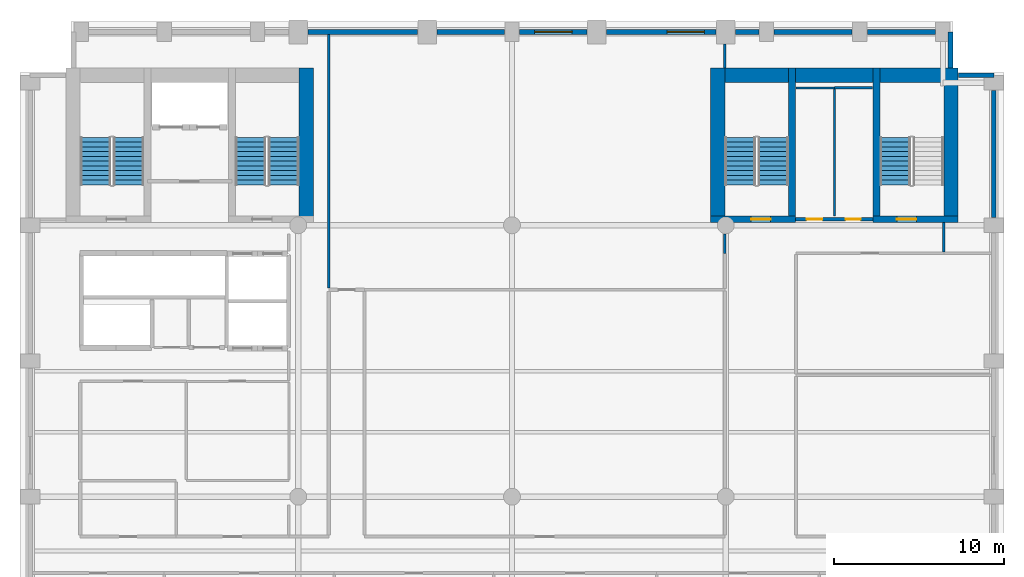
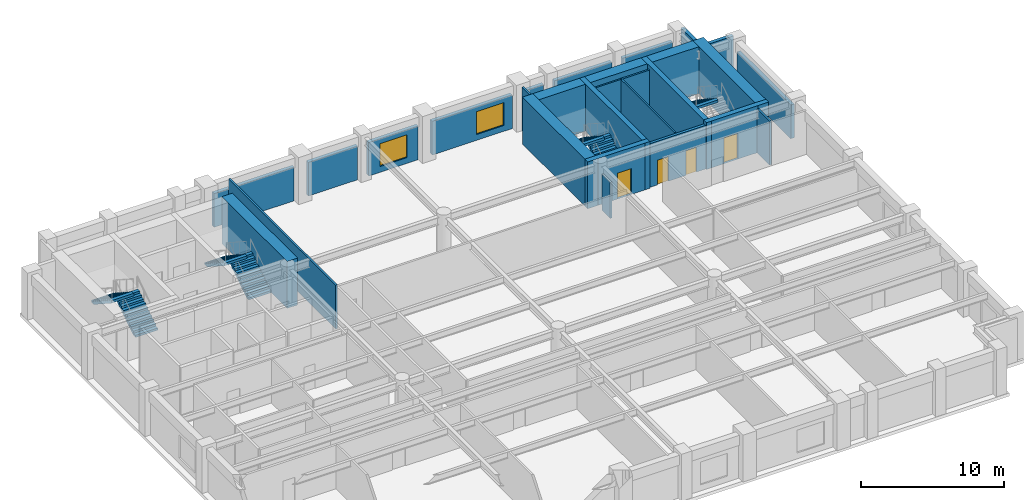
# One storey, part 5 of 8: 26 walls, 7 stair flights, 4 doors, 2 windows, 6 openings, 4 elements without a shape of their own.
"""IFC4 building model written with IfcOpenShell, lengths in metres."""

from ifc_helpers import new_model, si_unit, direction, frame, frame_2d, origin, place, context, subcontext, project, spatial, polyline, rectangle, outline, extrude, material, layer, layer_set, type_object, element, fill, aggregate, save


model = new_model("IFC4")

# Units and contexts
model_context = context("Model", 3, precision=1e-05, world=origin(), true_north=direction((0.0, 1.0)))
body_context = subcontext(model_context, "Body", "Model", "MODEL_VIEW")
ifc_project = project(units=[si_unit("LENGTHUNIT", "METRE"), si_unit("AREAUNIT", "SQUARE_METRE"), si_unit("VOLUMEUNIT", "CUBIC_METRE"), si_unit("PLANEANGLEUNIT", "RADIAN"), si_unit("MASSUNIT", "GRAM", prefix="KILO")], contexts=[model_context])

# Site, building, storey
site_placement = place(None, origin())
site = spatial("IfcSite", under=ifc_project, at=site_placement, CompositionType="ELEMENT")
building_placement = place(site_placement, origin())
building = spatial("IfcBuilding", under=site, at=building_placement, Name="Sulina Concourse Tower", CompositionType="ELEMENT")
storey_placement = place(building_placement, frame((0.0, 0.0, 100.60009765625)))
storey = spatial("IfcBuildingStorey", under=building, at=storey_placement, Name="L24", CompositionType="ELEMENT", Elevation=100.60009765625)

# Wall, openings, doors
ifc_material_1 = material(Name="Gypsum board on steel stud", Category="steel")
ifc_layer_1 = layer(ifc_material_1, 0.219970703125)
ifc_layer_set_1 = layer_set([ifc_layer_1], Name="Gypsum board on steel stud")
wall_type_1 = type_object("IfcWallType", Name="Fire-Rated Lobby & Compartment Wall 220mm", PredefinedType="PARTITIONING", material=ifc_layer_set_1)
wall_1_placement = place(storey_placement, frame((45.719970703125, 34.35009765625, 0.0), z_axis=(0.0, 0.0, 1.0), x_axis=(1.0, 0.0, 0.0)))
wall_1 = element("IfcWall", 1, at=wall_1_placement, inside=storey, type_object=wall_type_1, Name="L24 east core south lobby wall", PredefinedType="PARTITIONING", context=body_context, shape_type="SweptSolid", body=[
    extrude(rectangle(XDim=4.56005859375, YDim=0.219970703125, at=frame_2d((2.280029296875, 0.0))), origin(), (0.0, 0.0, 1.0), 3.724853515625),
])
opening_1_placement = place(wall_1_placement, frame((0.64990234375, 0.0, 0.0)))
opening_1 = element("IfcOpeningElement", 2, at=opening_1_placement, cuts=wall_1, Name="Opening DR-61", PredefinedType="OPENING", context=body_context, shape_type="SweptSolid", body=[
    extrude(rectangle(XDim=0.919921875, YDim=2.10009765625, at=frame_2d((0.4599609375, 1.050048828125))), frame((0.0, 0.119873046875, 0.0), z_axis=(0.0, -1.0, 0.0), x_axis=(1.0, 0.0, 0.0)), (0.0, 0.0, 1.0), 0.239990234375),
])
opening_2_placement = place(wall_1_placement, frame((2.949951171875, 0.0, 0.0)))
opening_2 = element("IfcOpeningElement", 3, at=opening_2_placement, cuts=wall_1, Name="Opening DR-38", PredefinedType="OPENING", context=body_context, shape_type="SweptSolid", body=[
    extrude(rectangle(XDim=0.8798828125, YDim=2.10009765625, at=frame_2d((0.43994140625, 1.050048828125))), frame((0.0, 0.119873046875, 0.0), z_axis=(0.0, -1.0, 0.0), x_axis=(1.0, 0.0, 0.0)), (0.0, 0.0, 1.0), 0.239990234375),
])
ifc_material_2 = material(Name="Oak-veneered fire door leaf")
ifc_layer_2 = layer(ifc_material_2, 0.050048828125)
ifc_layer_set_2 = layer_set([ifc_layer_2], Name="Oak-veneered fire door leaf")
door_type_1 = type_object("IfcDoorType", Name="Accessible WC Door 920x2100", OperationType="NOTDEFINED", PredefinedType="DOOR", material=ifc_layer_set_2)
door_1_placement = place(opening_1_placement, origin())
door_1 = element("IfcDoor", 4, at=door_1_placement, inside=storey, type_object=door_type_1, Name="L24 east core accessible wc door", OperationType="SINGLE_SWING_LEFT", OverallHeight=2.10009765625, OverallWidth=0.919921875, PredefinedType="DOOR", context=body_context, shape_type="SweptSolid", body=[
    extrude(rectangle(XDim=0.919921875, YDim=2.10009765625, at=frame_2d((0.4599609375, 1.050048828125))), frame((0.0, 0.02490234375, 0.0), z_axis=(0.0, -1.0, 0.0), x_axis=(1.0, 0.0, 0.0)), (0.0, 0.0, 1.0), 0.050048828125),
])
fill(opening_1, door_1)
ifc_material_3 = material(Name="Galvanised steel acoustic fire leaf", Category="steel")
ifc_layer_3 = layer(ifc_material_3, 0.050048828125)
ifc_layer_set_3 = layer_set([ifc_layer_3], Name="Galvanised steel acoustic fire leaf")
door_type_2 = type_object("IfcDoorType", Name="Service Riser Fire Door 880x2100", OperationType="NOTDEFINED", PredefinedType="DOOR", material=ifc_layer_set_3)
door_2_placement = place(opening_2_placement, origin())
door_2 = element("IfcDoor", 5, at=door_2_placement, inside=storey, type_object=door_type_2, Name="L24 east core store door", OperationType="SINGLE_SWING_RIGHT", OverallHeight=2.10009765625, OverallWidth=0.8798828125, PredefinedType="DOOR", context=body_context, shape_type="SweptSolid", body=[
    extrude(rectangle(XDim=0.8798828125, YDim=2.10009765625, at=frame_2d((0.43994140625, 1.050048828125))), frame((0.0, 0.02490234375, 0.0), z_axis=(0.0, -1.0, 0.0), x_axis=(1.0, 0.0, 0.0)), (0.0, 0.0, 1.0), 0.050048828125),
])
fill(opening_2, door_2)

# Walls
ifc_material_4 = material(Name="Gypsum board on steel stud", Category="steel")
ifc_layer_4 = layer(ifc_material_4, 0.14990234375)
ifc_layer_set_4 = layer_set([ifc_layer_4], Name="Gypsum board on steel stud")
wall_type_2 = type_object("IfcWallType", Name="Inter-Tenancy Acoustic Partition 150mm", PredefinedType="PARTITIONING", material=ifc_layer_set_4)
wall_2_placement = place(storey_placement, frame((48.0, 42.10009765625, 0.0), z_axis=(0.0, 0.0, 1.0), x_axis=(1.0, 0.0, 0.0)))
element("IfcWall", 6, at=wall_2_placement, inside=storey, type_object=wall_type_2, Name="L24 interior partition 025", PredefinedType="PARTITIONING", context=body_context, shape_type="SweptSolid", body=[
    extrude(rectangle(XDim=2.25, YDim=0.14990234375, at=frame_2d((1.125, 0.0))), origin(), (0.0, 0.0, 1.0), 3.724853515625),
])
wall_3_placement = place(storey_placement, frame((18.199951171875, 30.2900390625, 0.0), z_axis=(0.0, 0.0, 1.0), x_axis=(0.0, 1.0, 0.0)))
element("IfcWall", 7, at=wall_3_placement, inside=storey, type_object=wall_type_2, Name="L24 interior partition 037", PredefinedType="PARTITIONING", context=body_context, shape_type="SweptSolid", body=[
    extrude(rectangle(XDim=14.969970703125, YDim=0.14990234375, at=frame_2d((7.48486328125, 0.0))), origin(), (0.0, 0.0, 1.0), 3.724853515625),
])
wall_4_placement = place(storey_placement, frame((41.550048828125, 32.35009765625, 0.0), z_axis=(0.0, 0.0, 1.0), x_axis=(0.0, 1.0, 0.0)))
element("IfcWall", 8, at=wall_4_placement, inside=storey, type_object=wall_type_2, Name="L24 interior partition 045", PredefinedType="PARTITIONING", context=body_context, shape_type="SweptSolid", body=[
    extrude(rectangle(XDim=1.14990234375, YDim=0.14990234375, at=frame_2d((0.574951171875, 0.0))), origin(), (0.0, 0.0, 1.0), 3.06982421875),
])
wall_5_placement = place(storey_placement, frame((41.550048828125, 43.280029296875, 0.0), z_axis=(0.0, 0.0, 1.0), x_axis=(0.0, 1.0, 0.0)))
element("IfcWall", 9, at=wall_5_placement, inside=storey, type_object=wall_type_2, Name="L24 interior partition 046", PredefinedType="PARTITIONING", context=body_context, shape_type="SweptSolid", body=[
    extrude(rectangle(XDim=1.419921875, YDim=0.14990234375, at=frame_2d((0.7099609375, 0.0))), origin(), (0.0, 0.0, 1.0), 3.724853515625),
])
wall_6_placement = place(storey_placement, frame((54.449951171875, 32.425048828125, 0.0), z_axis=(0.0, 0.0, 1.0), x_axis=(0.0, 1.0, 0.0)))
element("IfcWall", 10, at=wall_6_placement, inside=storey, type_object=wall_type_2, Name="L24 interior partition 051", PredefinedType="PARTITIONING", context=body_context, shape_type="SweptSolid", body=[
    extrude(rectangle(XDim=1.724853515625, YDim=0.14990234375, at=frame_2d((0.8623046875, 0.0))), origin(), (0.0, 0.0, 1.0), 3.724853515625),
])

# Wall, opening, door
ifc_material_5 = material(Name="Concrete C60/75", Category="concrete")
ifc_layer_5 = layer(ifc_material_5, 0.39990234375)
ifc_layer_set_5 = layer_set([ifc_layer_5], Name="Concrete C60/75")
wall_type_3 = type_object("IfcWallType", Name="Protected Stair Core Shear Wall 400mm", PredefinedType="SHEAR", material=ifc_layer_set_5)
wall_7_placement = place(storey_placement, frame((40.699951171875, 34.35009765625, 0.0), z_axis=(0.0, 0.0, 1.0), x_axis=(1.0, 0.0, 0.0)))
wall_7 = element("IfcWall", 11, at=wall_7_placement, inside=storey, type_object=wall_type_3, Name="L24 east core shear wall CW-ES1", PredefinedType="SHEAR", context=body_context, shape_type="SweptSolid", body=[
    extrude(rectangle(XDim=5.010009765625, YDim=0.39990234375, at=frame_2d((2.5048828125, 0.0))), origin(), (0.0, 0.0, 1.0), 4.0),
])
opening_3_placement = place(wall_7_placement, frame((2.39990234375, 0.0, 0.0)))
opening_3 = element("IfcOpeningElement", 12, at=opening_3_placement, cuts=wall_7, Name="Opening DR-60", PredefinedType="OPENING", context=body_context, shape_type="SweptSolid", body=[
    extrude(rectangle(XDim=1.14990234375, YDim=2.199951171875, at=frame_2d((0.574951171875, 1.10009765625))), frame((0.0, 0.2099609375, 0.0), z_axis=(0.0, -1.0, 0.0), x_axis=(1.0, 0.0, 0.0)), (0.0, 0.0, 1.0), 0.419921875),
])
ifc_material_6 = material(Name="Galvanised steel acoustic fire leaf", Category="steel")
ifc_layer_6 = layer(ifc_material_6, 0.054931640625)
ifc_layer_set_6 = layer_set([ifc_layer_6], Name="Galvanised steel acoustic fire leaf")
door_type_3 = type_object("IfcDoorType", Name="Protected Exit Stair Fire Door 1150x2200", OperationType="NOTDEFINED", PredefinedType="DOOR", material=ifc_layer_set_6)
door_3_placement = place(opening_3_placement, origin())
door_3 = element("IfcDoor", 13, at=door_3_placement, inside=storey, type_object=door_type_3, Name="L24 stair ST-3 south lobby fire door", OperationType="SINGLE_SWING_RIGHT", OverallHeight=2.199951171875, OverallWidth=1.14990234375, PredefinedType="DOOR", context=body_context, shape_type="SweptSolid", body=[
    extrude(rectangle(XDim=1.14990234375, YDim=2.199951171875, at=frame_2d((0.574951171875, 1.10009765625))), frame((0.0, 0.02490234375, 0.0), z_axis=(0.0, -1.0, 0.0), x_axis=(1.0, 0.0, 0.0)), (0.0, 0.0, 1.0), 0.050048828125),
])
fill(opening_3, door_3)

# Wall
wall_8_placement = place(storey_placement, frame((45.510009765625, 34.14990234375, 0.0), z_axis=(0.0, 0.0, 1.0), x_axis=(0.0, 1.0, 0.0)))
element("IfcWall", 14, at=wall_8_placement, inside=storey, type_object=wall_type_3, Name="L24 east core shear wall SW-ST3", PredefinedType="SHEAR", context=body_context, shape_type="SweptSolid", body=[
    extrude(rectangle(XDim=9.130126953125, YDim=0.39990234375, at=frame_2d((4.56494140625, 0.0))), origin(), (0.0, 0.0, 1.0), 4.0),
])

# Wall, opening, door
wall_9_placement = place(storey_placement, frame((50.2900390625, 34.35009765625, 0.0), z_axis=(0.0, 0.0, 1.0), x_axis=(1.0, 0.0, 0.0)))
wall_9 = element("IfcWall", 15, at=wall_9_placement, inside=storey, type_object=wall_type_3, Name="L24 east core shear wall CW-ES2", PredefinedType="SHEAR", context=body_context, shape_type="SweptSolid", body=[
    extrude(rectangle(XDim=5.010009765625, YDim=0.39990234375, at=frame_2d((2.5048828125, 0.0))), origin(), (0.0, 0.0, 1.0), 4.0),
])
opening_4_placement = place(wall_9_placement, frame((1.39990234375, 0.0, 0.0)))
opening_4 = element("IfcOpeningElement", 16, at=opening_4_placement, cuts=wall_9, Name="Opening DR-60", PredefinedType="OPENING", context=body_context, shape_type="SweptSolid", body=[
    extrude(rectangle(XDim=1.14990234375, YDim=2.199951171875, at=frame_2d((0.574951171875, 1.10009765625))), frame((0.0, 0.2099609375, 0.0), z_axis=(0.0, -1.0, 0.0), x_axis=(1.0, 0.0, 0.0)), (0.0, 0.0, 1.0), 0.419921875),
])
door_4_placement = place(opening_4_placement, origin())
door_4 = element("IfcDoor", 17, at=door_4_placement, inside=storey, type_object=door_type_3, Name="L24 stair ST-4 south lobby fire door", OperationType="SINGLE_SWING_LEFT", OverallHeight=2.199951171875, OverallWidth=1.14990234375, PredefinedType="DOOR", context=body_context, shape_type="SweptSolid", body=[
    extrude(rectangle(XDim=1.14990234375, YDim=2.199951171875, at=frame_2d((0.574951171875, 1.10009765625))), frame((0.0, 0.02490234375, 0.0), z_axis=(0.0, -1.0, 0.0), x_axis=(1.0, 0.0, 0.0)), (0.0, 0.0, 1.0), 0.050048828125),
])
fill(opening_4, door_4)

# Walls
wall_10_placement = place(storey_placement, frame((50.489990234375, 34.14990234375, 0.0), z_axis=(0.0, 0.0, 1.0), x_axis=(0.0, 1.0, 0.0)))
element("IfcWall", 18, at=wall_10_placement, inside=storey, type_object=wall_type_3, Name="L24 east core shear wall SW-ST4", PredefinedType="SHEAR", context=body_context, shape_type="SweptSolid", body=[
    extrude(rectangle(XDim=9.130126953125, YDim=0.39990234375, at=frame_2d((4.56494140625, 0.0))), origin(), (0.0, 0.0, 1.0), 4.0),
])
ifc_material_7 = material(Name="Concrete C60/75", Category="concrete")
ifc_layer_7 = layer(ifc_material_7, 0.85009765625)
ifc_layer_set_7 = layer_set([ifc_layer_7], Name="Concrete C60/75")
wall_type_4 = type_object("IfcWallType", Name="Rear Core Shear Wall 850mm", PredefinedType="SHEAR", material=ifc_layer_set_7)
wall_11_placement = place(storey_placement, frame((16.875, 34.14990234375, 0.0), z_axis=(0.0, 0.0, 1.0), x_axis=(0.0, 1.0, 0.0)))
element("IfcWall", 19, at=wall_11_placement, inside=storey, type_object=wall_type_4, Name="L24 west core shear wall CW-WE", PredefinedType="SHEAR", context=body_context, shape_type="SweptSolid", body=[
    extrude(rectangle(XDim=9.130126953125, YDim=0.85009765625, at=frame_2d((4.56494140625, 0.0))), origin(), (0.0, 0.0, 1.0), 4.0),
])
wall_12_placement = place(storey_placement, frame((40.699951171875, 42.85498046875, 0.0), z_axis=(0.0, 0.0, 1.0), x_axis=(1.0, 0.0, 0.0)))
element("IfcWall", 20, at=wall_12_placement, inside=storey, type_object=wall_type_4, Name="L24 east core shear wall CW-EN", PredefinedType="SHEAR", context=body_context, shape_type="SweptSolid", body=[
    extrude(rectangle(XDim=14.60009765625, YDim=0.85009765625, at=frame_2d((7.300048828125, 0.0))), origin(), (0.0, 0.0, 1.0), 4.0),
])
for number, where, z_axis, x_axis, name in (
    (21, (41.125, 34.14990234375, 0.0), (0.0, 0.0, 1.0), (0.0, 1.0, 0.0), "L24 east core shear wall CW-EW"),
    (22, (54.875, 34.14990234375, 0.0), (0.0, 0.0, 1.0), (0.0, 1.0, 0.0), "L24 east core shear wall CW-EE"),
):
    element("IfcWall", number, at=place(storey_placement, frame(where, z_axis=z_axis, x_axis=x_axis)), inside=storey, type_object=wall_type_4, Name=name, PredefinedType="SHEAR", context=body_context, shape_type="SweptSolid", body=[
        extrude(rectangle(XDim=9.130126953125, YDim=0.85009765625, at=frame_2d((4.56494140625, 0.0))), origin(), (0.0, 0.0, 1.0), 4.0),
    ])
ifc_material_8 = material(Name="Precast concrete C50/60", Category="concrete")
ifc_layer_8 = layer(ifc_material_8, 0.280029296875)
ifc_layer_set_8 = layer_set([ifc_layer_8], Name="Precast concrete C50/60")
wall_type_5 = type_object("IfcWallType", Name="Typical Precast Masonry-Frame Facade Wall 280mm", PredefinedType="SOLIDWALL", material=ifc_layer_set_8)
wall_13_placement = place(storey_placement, frame((16.969970703125, 45.39990234375, 0.0), z_axis=(0.0, 0.0, 1.0), x_axis=(1.0, 0.0, 0.0)))
element("IfcWall", 23, at=wall_13_placement, inside=storey, type_object=wall_type_5, Name="L24 exterior precast wall N4", PredefinedType="SOLIDWALL", context=body_context, shape_type="SweptSolid", body=[
    extrude(rectangle(XDim=6.4599609375, YDim=0.280029296875, at=frame_2d((3.22998046875, 0.0))), origin(), (0.0, 0.0, 1.0), 2.875),
])
wall_14_placement = place(storey_placement, frame((24.570068359375, 45.39990234375, 0.0), z_axis=(0.0, 0.0, 1.0), x_axis=(1.0, 0.0, 0.0)))
element("IfcWall", 24, at=wall_14_placement, inside=storey, type_object=wall_type_5, Name="L24 exterior precast wall N5", PredefinedType="SOLIDWALL", context=body_context, shape_type="SweptSolid", body=[
    extrude(rectangle(XDim=3.98486328125, YDim=0.280029296875, at=frame_2d((1.992431640625, 0.0))), origin(), (0.0, 0.0, 1.0), 2.875),
])

# Wall, opening, window
wall_15_placement = place(storey_placement, frame((29.445068359375, 45.39990234375, 0.0), z_axis=(0.0, 0.0, 1.0), x_axis=(1.0, 0.0, 0.0)))
wall_15 = element("IfcWall", 25, at=wall_15_placement, inside=storey, type_object=wall_type_5, Name="L24 exterior precast wall N6", PredefinedType="SOLIDWALL", context=body_context, shape_type="SweptSolid", body=[
    extrude(rectangle(XDim=3.98486328125, YDim=0.280029296875, at=frame_2d((1.992431640625, 0.0))), origin(), (0.0, 0.0, 1.0), 2.875),
])
opening_5_placement = place(wall_15_placement, frame((0.892578125, 0.0, 0.5)))
opening_5 = element("IfcOpeningElement", 26, at=opening_5_placement, cuts=wall_15, Name="Opening WN-76", PredefinedType="OPENING", context=body_context, shape_type="SweptSolid", body=[
    extrude(rectangle(XDim=2.199951171875, YDim=1.949951171875, at=frame_2d((1.10009765625, 0.97509765625))), frame((0.0, 0.14990234375, 0.0), z_axis=(0.0, -1.0, 0.0), x_axis=(1.0, 0.0, 0.0)), (0.0, 0.0, 1.0), 0.300048828125),
])
ifc_material_9 = material(Name="Low-E solar double glazing in bronze aluminium", Category="aluminium")
window_type = type_object("IfcWindowType", Name="Recessed Spandrel Window 2200x1950", PartitioningType="DOUBLE_PANEL_VERTICAL", PredefinedType="WINDOW", material=ifc_material_9)
window_1_placement = place(opening_5_placement, origin())
window_1 = element("IfcWindow", 27, at=window_1_placement, inside=storey, type_object=window_type, Name="L24 punched window N6-1", OverallHeight=1.949951171875, OverallWidth=2.199951171875, PartitioningType="SINGLE_PANEL", PredefinedType="WINDOW", context=body_context, shape_type="SweptSolid", body=[
    extrude(rectangle(XDim=2.199951171875, YDim=1.949951171875, at=frame_2d((1.10009765625, 0.97509765625))), frame((0.0, 0.030029296875, 0.0), z_axis=(0.0, -1.0, 0.0), x_axis=(1.0, 0.0, 0.0)), (0.0, 0.0, 1.0), 0.06005859375),
])
fill(opening_5, window_1)

wall_16_placement = place(storey_placement, frame((34.570068359375, 45.39990234375, 0.0), z_axis=(0.0, 0.0, 1.0), x_axis=(1.0, 0.0, 0.0)))
wall_16 = element("IfcWall", 28, at=wall_16_placement, inside=storey, type_object=wall_type_5, Name="L24 exterior precast wall N7", PredefinedType="SOLIDWALL", context=body_context, shape_type="SweptSolid", body=[
    extrude(rectangle(XDim=6.4599609375, YDim=0.280029296875, at=frame_2d((3.22998046875, 0.0))), origin(), (0.0, 0.0, 1.0), 2.875),
])
opening_6_placement = place(wall_16_placement, frame((3.5732421875, 0.0, 0.5)))
opening_6 = element("IfcOpeningElement", 29, at=opening_6_placement, cuts=wall_16, Name="Opening WN-76", PredefinedType="OPENING", context=body_context, shape_type="SweptSolid", body=[
    extrude(rectangle(XDim=2.199951171875, YDim=1.949951171875, at=frame_2d((1.10009765625, 0.97509765625))), frame((0.0, 0.14990234375, 0.0), z_axis=(0.0, -1.0, 0.0), x_axis=(1.0, 0.0, 0.0)), (0.0, 0.0, 1.0), 0.300048828125),
])
window_2_placement = place(opening_6_placement, origin())
window_2 = element("IfcWindow", 30, at=window_2_placement, inside=storey, type_object=window_type, Name="L24 punched window N7-1", OverallHeight=1.949951171875, OverallWidth=2.199951171875, PartitioningType="SINGLE_PANEL", PredefinedType="WINDOW", context=body_context, shape_type="SweptSolid", body=[
    extrude(rectangle(XDim=2.199951171875, YDim=1.949951171875, at=frame_2d((1.10009765625, 0.97509765625))), frame((0.0, 0.030029296875, 0.0), z_axis=(0.0, -1.0, 0.0), x_axis=(1.0, 0.0, 0.0)), (0.0, 0.0, 1.0), 0.06005859375),
])
fill(opening_6, window_2)

# Walls
wall_17_placement = place(storey_placement, frame((42.169921875, 45.39990234375, 0.0), z_axis=(0.0, 0.0, 1.0), x_axis=(1.0, 0.0, 0.0)))
element("IfcWall", 31, at=wall_17_placement, inside=storey, type_object=wall_type_5, Name="L24 exterior precast wall N8", PredefinedType="SOLIDWALL", context=body_context, shape_type="SweptSolid", body=[
    extrude(rectangle(XDim=1.385009765625, YDim=0.280029296875, at=frame_2d((0.6923828125, 0.0))), origin(), (0.0, 0.0, 1.0), 2.875),
])
wall_18_placement = place(storey_placement, frame((44.445068359375, 45.39990234375, 0.0), z_axis=(0.0, 0.0, 1.0), x_axis=(1.0, 0.0, 0.0)))
element("IfcWall", 32, at=wall_18_placement, inside=storey, type_object=wall_type_5, Name="L24 exterior precast wall N9", PredefinedType="SOLIDWALL", context=body_context, shape_type="SweptSolid", body=[
    extrude(rectangle(XDim=4.60986328125, YDim=0.280029296875, at=frame_2d((2.304931640625, 0.0))), origin(), (0.0, 0.0, 1.0), 2.875),
])
wall_19_placement = place(storey_placement, frame((49.945068359375, 45.39990234375, 0.0), z_axis=(0.0, 0.0, 1.0), x_axis=(1.0, 0.0, 0.0)))
element("IfcWall", 33, at=wall_19_placement, inside=storey, type_object=wall_type_5, Name="L24 exterior precast wall N10", PredefinedType="SOLIDWALL", context=body_context, shape_type="SweptSolid", body=[
    extrude(rectangle(XDim=4.010009765625, YDim=0.280029296875, at=frame_2d((2.0048828125, 0.0))), origin(), (0.0, 0.0, 1.0), 2.875),
])
wall_20_placement = place(storey_placement, frame((57.39990234375, 41.955078125, 0.0), z_axis=(0.0, 0.0, 1.0), x_axis=(0.0, -1.0, 0.0)))
element("IfcWall", 34, at=wall_20_placement, inside=storey, type_object=wall_type_5, Name="L24 exterior precast wall E5", PredefinedType="SOLIDWALL", context=body_context, shape_type="SweptSolid", body=[
    extrude(rectangle(XDim=7.510009765625, YDim=0.280029296875, at=frame_2d((3.7548828125, 0.0))), origin(), (0.0, 0.0, 1.0), 2.875),
])
wall_21_placement = place(storey_placement, frame((54.844970703125, 45.39990234375, 0.0), z_axis=(0.0, 0.0, 1.0), x_axis=(0.0, -1.0, 0.0)))
element("IfcWall", 35, at=wall_21_placement, inside=storey, type_object=wall_type_5, Name="L24 exterior precast wall CNE1", PredefinedType="SOLIDWALL", context=body_context, shape_type="SweptSolid", body=[
    extrude(rectangle(XDim=2.114990234375, YDim=0.280029296875, at=frame_2d((1.0576171875, 0.0))), origin(), (0.0, 0.0, 1.0), 3.724853515625),
])
wall_22_placement = place(storey_placement, frame((55.304931640625, 42.844970703125, 0.0), z_axis=(0.0, 0.0, 1.0), x_axis=(1.0, 0.0, 0.0)))
element("IfcWall", 36, at=wall_22_placement, inside=storey, type_object=wall_type_5, Name="L24 exterior precast wall CNE2", PredefinedType="SOLIDWALL", context=body_context, shape_type="SweptSolid", body=[
    extrude(rectangle(XDim=2.094970703125, YDim=0.280029296875, at=frame_2d((1.04736328125, 0.0))), origin(), (0.0, 0.0, 1.0), 3.724853515625),
])
ifc_material_10 = material(Name="Gypsum board on steel stud", Category="steel")
ifc_layer_9 = layer(ifc_material_10, 0.125)
ifc_layer_set_9 = layer_set([ifc_layer_9], Name="Gypsum board on steel stud")
wall_type_6 = type_object("IfcWallType", Name="Wet-Area Moisture-Resistant Partition 125mm", PredefinedType="PARTITIONING", material=ifc_layer_set_9)
wall_23_placement = place(storey_placement, frame((45.75, 42.10009765625, 0.0), z_axis=(0.0, 0.0, 1.0), x_axis=(1.0, 0.0, 0.0)))
element("IfcWall", 37, at=wall_23_placement, inside=storey, type_object=wall_type_6, Name="L24 interior partition 024", PredefinedType="PARTITIONING", context=body_context, shape_type="SweptSolid", body=[
    extrude(rectangle(XDim=2.25, YDim=0.125, at=frame_2d((1.125, 0.0))), origin(), (0.0, 0.0, 1.0), 3.724853515625),
])
wall_24_placement = place(storey_placement, frame((48.0, 34.550048828125, 0.0), z_axis=(0.0, 0.0, 1.0), x_axis=(0.0, 1.0, 0.0)))
element("IfcWall", 38, at=wall_24_placement, inside=storey, type_object=wall_type_6, Name="L24 interior partition 050", PredefinedType="PARTITIONING", context=body_context, shape_type="SweptSolid", body=[
    extrude(rectangle(XDim=7.474853515625, YDim=0.125, at=frame_2d((3.7373046875, 0.0))), origin(), (0.0, 0.0, 1.0), 3.724853515625),
])

# Stair, stair flights
ifc_material_11 = material(Name="Concrete C50/60", Category="concrete")
stair_type_1 = type_object("IfcStairType", Name="Portal & Podium Core Exit Stair 1820mm", PredefinedType="HALF_TURN_STAIR", material=ifc_material_11)
stair_1_placement = place(storey_placement, origin())
stair_1 = element("IfcStair", 39, at=stair_1_placement, inside=storey, type_object=stair_type_1, Name="L24 ST-3", PredefinedType="HALF_TURN_STAIR")
ifc_material_12 = material(Name="Concrete C50/60", Category="concrete")
stair_flight_type_1 = type_object("IfcStairFlightType", Name="Portal & Podium Core Exit Stair 1820mm Flight", PredefinedType="STRAIGHT", material=ifc_material_12)
stair_flight_1_placement = place(storey_placement, frame((44.405029296875, 36.375, 0.0), z_axis=(0.0, 0.0, 1.0), x_axis=(0.0, 1.0, 0.0)))
stair_flight_1 = element("IfcStairFlight", 40, at=stair_flight_1_placement, type_object=stair_flight_type_1, Name="ST-3 flight 1", NumberOfRisers=11, NumberOfTreads=10, PredefinedType="STRAIGHT", RiserHeight=0.181818182, TreadLength=0.28, context=body_context, shape_type="SweptSolid", body=[
    extrude(outline(polyline([(0.0, 0.0), (0.0, 0.181884765625), (0.280029296875, 0.181884765625), (0.280029296875, 0.363525390625), (0.56005859375, 0.363525390625), (0.56005859375, 0.54541015625), (0.840087890625, 0.54541015625), (0.840087890625, 0.727294921875), (1.1201171875, 0.727294921875), (1.1201171875, 0.9091796875), (1.39990234375, 0.9091796875), (1.39990234375, 1.0908203125), (1.679931640625, 1.0908203125), (1.679931640625, 1.272705078125), (1.9599609375, 1.272705078125), (1.9599609375, 1.45458984375), (2.239990234375, 1.45458984375), (2.239990234375, 1.636474609375), (2.52001953125, 1.636474609375), (2.52001953125, 1.818115234375), (2.800048828125, 1.818115234375), (2.800048828125, 2.0), (2.800048828125, 1.603759765625), (0.330322265625, 0.0), (0.0, 0.0)])), frame((0.0, 0.89990234375, 0.0), z_axis=(0.0, -1.0, 0.0), x_axis=(1.0, 0.0, 0.0)), (0.0, 0.0, 1.0), 1.800048828125),
])
stair_flight_2_placement = place(storey_placement, frame((42.455078125, 39.175048828125, 2.0), z_axis=(0.0, 0.0, 1.0), x_axis=(0.0, -1.0, 0.0)))
stair_flight_2 = element("IfcStairFlight", 41, at=stair_flight_2_placement, type_object=stair_flight_type_1, Name="ST-3 flight 2", NumberOfRisers=11, NumberOfTreads=10, PredefinedType="STRAIGHT", RiserHeight=0.181818182, TreadLength=0.28, context=body_context, shape_type="SweptSolid", body=[
    extrude(outline(polyline([(0.0, 0.0), (0.0, 0.181884765625), (0.280029296875, 0.181884765625), (0.280029296875, 0.363525390625), (0.56005859375, 0.363525390625), (0.56005859375, 0.54541015625), (0.840087890625, 0.54541015625), (0.840087890625, 0.727294921875), (1.1201171875, 0.727294921875), (1.1201171875, 0.9091796875), (1.39990234375, 0.9091796875), (1.39990234375, 1.0908203125), (1.679931640625, 1.0908203125), (1.679931640625, 1.272705078125), (1.9599609375, 1.272705078125), (1.9599609375, 1.45458984375), (2.239990234375, 1.45458984375), (2.239990234375, 1.636474609375), (2.52001953125, 1.636474609375), (2.52001953125, 1.818115234375), (2.800048828125, 1.818115234375), (2.800048828125, 2.0), (2.800048828125, 1.603759765625), (0.330322265625, 0.0), (0.0, 0.0)])), frame((0.0, 0.89990234375, 0.0), z_axis=(0.0, -1.0, 0.0), x_axis=(1.0, 0.0, 0.0)), (0.0, 0.0, 1.0), 1.800048828125),
])
aggregate(stair_1, [stair_flight_1, stair_flight_2])

# Stair, stair flight
stair_2_placement = place(storey_placement, origin())
stair_2 = element("IfcStair", 42, at=stair_2_placement, inside=storey, type_object=stair_type_1, Name="L24 ST-4", PredefinedType="HALF_TURN_STAIR")
stair_flight_3_placement = place(storey_placement, frame((51.594970703125, 39.175048828125, 2.0), z_axis=(0.0, 0.0, 1.0), x_axis=(0.0, -1.0, 0.0)))
stair_flight_3 = element("IfcStairFlight", 43, at=stair_flight_3_placement, type_object=stair_flight_type_1, Name="ST-4 flight 2", NumberOfRisers=11, NumberOfTreads=10, PredefinedType="STRAIGHT", RiserHeight=0.181818182, TreadLength=0.28, context=body_context, shape_type="SweptSolid", body=[
    extrude(outline(polyline([(0.0, 0.0), (0.0, 0.181884765625), (0.280029296875, 0.181884765625), (0.280029296875, 0.363525390625), (0.56005859375, 0.363525390625), (0.56005859375, 0.54541015625), (0.840087890625, 0.54541015625), (0.840087890625, 0.727294921875), (1.1201171875, 0.727294921875), (1.1201171875, 0.9091796875), (1.39990234375, 0.9091796875), (1.39990234375, 1.0908203125), (1.679931640625, 1.0908203125), (1.679931640625, 1.272705078125), (1.9599609375, 1.272705078125), (1.9599609375, 1.45458984375), (2.239990234375, 1.45458984375), (2.239990234375, 1.636474609375), (2.52001953125, 1.636474609375), (2.52001953125, 1.818115234375), (2.800048828125, 1.818115234375), (2.800048828125, 2.0), (2.800048828125, 1.603759765625), (0.330322265625, 0.0), (0.0, 0.0)])), frame((0.0, 0.89990234375, 0.0), z_axis=(0.0, -1.0, 0.0), x_axis=(1.0, 0.0, 0.0)), (0.0, 0.0, 1.0), 1.800048828125),
])
aggregate(stair_2, [stair_flight_3])

# Stair, stair flights
ifc_material_13 = material(Name="Concrete C50/60", Category="concrete")
stair_type_2 = type_object("IfcStairType", Name="Primary Core Dog-Leg Exit Stair 1800mm", PredefinedType="HALF_TURN_STAIR", material=ifc_material_13)
stair_3_placement = place(storey_placement, origin())
stair_3 = element("IfcStair", 44, at=stair_3_placement, inside=storey, type_object=stair_type_2, Name="L24 ST-1", PredefinedType="HALF_TURN_STAIR")
ifc_material_14 = material(Name="Concrete C50/60", Category="concrete")
stair_flight_type_2 = type_object("IfcStairFlightType", Name="Primary Core Dog-Leg Exit Stair 1800mm Flight", PredefinedType="STRAIGHT", material=ifc_material_14)
stair_flight_4_placement = place(storey_placement, frame((6.405029296875, 36.375, 0.0), z_axis=(0.0, 0.0, 1.0), x_axis=(0.0, 1.0, 0.0)))
stair_flight_4 = element("IfcStairFlight", 45, at=stair_flight_4_placement, type_object=stair_flight_type_2, Name="ST-1 flight 1", NumberOfRisers=11, NumberOfTreads=10, PredefinedType="STRAIGHT", RiserHeight=0.181818182, TreadLength=0.28, context=body_context, shape_type="SweptSolid", body=[
    extrude(outline(polyline([(0.0, 0.0), (0.0, 0.181884765625), (0.280029296875, 0.181884765625), (0.280029296875, 0.363525390625), (0.56005859375, 0.363525390625), (0.56005859375, 0.54541015625), (0.840087890625, 0.54541015625), (0.840087890625, 0.727294921875), (1.1201171875, 0.727294921875), (1.1201171875, 0.9091796875), (1.39990234375, 0.9091796875), (1.39990234375, 1.0908203125), (1.679931640625, 1.0908203125), (1.679931640625, 1.272705078125), (1.9599609375, 1.272705078125), (1.9599609375, 1.45458984375), (2.239990234375, 1.45458984375), (2.239990234375, 1.636474609375), (2.52001953125, 1.636474609375), (2.52001953125, 1.818115234375), (2.800048828125, 1.818115234375), (2.800048828125, 2.0), (2.800048828125, 1.603759765625), (0.330322265625, 0.0), (0.0, 0.0)])), frame((0.0, 0.89990234375, 0.0), z_axis=(0.0, -1.0, 0.0), x_axis=(1.0, 0.0, 0.0)), (0.0, 0.0, 1.0), 1.800048828125),
])
stair_flight_5_placement = place(storey_placement, frame((4.455078125, 39.175048828125, 2.0), z_axis=(0.0, 0.0, 1.0), x_axis=(0.0, -1.0, 0.0)))
stair_flight_5 = element("IfcStairFlight", 46, at=stair_flight_5_placement, type_object=stair_flight_type_2, Name="ST-1 flight 2", NumberOfRisers=11, NumberOfTreads=10, PredefinedType="STRAIGHT", RiserHeight=0.181818182, TreadLength=0.28, context=body_context, shape_type="SweptSolid", body=[
    extrude(outline(polyline([(0.0, 0.0), (0.0, 0.181884765625), (0.280029296875, 0.181884765625), (0.280029296875, 0.363525390625), (0.56005859375, 0.363525390625), (0.56005859375, 0.54541015625), (0.840087890625, 0.54541015625), (0.840087890625, 0.727294921875), (1.1201171875, 0.727294921875), (1.1201171875, 0.9091796875), (1.39990234375, 0.9091796875), (1.39990234375, 1.0908203125), (1.679931640625, 1.0908203125), (1.679931640625, 1.272705078125), (1.9599609375, 1.272705078125), (1.9599609375, 1.45458984375), (2.239990234375, 1.45458984375), (2.239990234375, 1.636474609375), (2.52001953125, 1.636474609375), (2.52001953125, 1.818115234375), (2.800048828125, 1.818115234375), (2.800048828125, 2.0), (2.800048828125, 1.603759765625), (0.330322265625, 0.0), (0.0, 0.0)])), frame((0.0, 0.89990234375, 0.0), z_axis=(0.0, -1.0, 0.0), x_axis=(1.0, 0.0, 0.0)), (0.0, 0.0, 1.0), 1.800048828125),
])
aggregate(stair_3, [stair_flight_4, stair_flight_5])

stair_4_placement = place(storey_placement, origin())
stair_4 = element("IfcStair", 47, at=stair_4_placement, inside=storey, type_object=stair_type_2, Name="L24 ST-2", PredefinedType="HALF_TURN_STAIR")
stair_flight_6_placement = place(storey_placement, frame((15.544921875, 36.375, 0.0), z_axis=(0.0, 0.0, 1.0), x_axis=(0.0, 1.0, 0.0)))
stair_flight_6 = element("IfcStairFlight", 48, at=stair_flight_6_placement, type_object=stair_flight_type_2, Name="ST-2 flight 1", NumberOfRisers=11, NumberOfTreads=10, PredefinedType="STRAIGHT", RiserHeight=0.181818182, TreadLength=0.28, context=body_context, shape_type="SweptSolid", body=[
    extrude(outline(polyline([(0.0, 0.0), (0.0, 0.181884765625), (0.280029296875, 0.181884765625), (0.280029296875, 0.363525390625), (0.56005859375, 0.363525390625), (0.56005859375, 0.54541015625), (0.840087890625, 0.54541015625), (0.840087890625, 0.727294921875), (1.1201171875, 0.727294921875), (1.1201171875, 0.9091796875), (1.39990234375, 0.9091796875), (1.39990234375, 1.0908203125), (1.679931640625, 1.0908203125), (1.679931640625, 1.272705078125), (1.9599609375, 1.272705078125), (1.9599609375, 1.45458984375), (2.239990234375, 1.45458984375), (2.239990234375, 1.636474609375), (2.52001953125, 1.636474609375), (2.52001953125, 1.818115234375), (2.800048828125, 1.818115234375), (2.800048828125, 2.0), (2.800048828125, 1.603759765625), (0.330322265625, 0.0), (0.0, 0.0)])), frame((0.0, 0.89990234375, 0.0), z_axis=(0.0, -1.0, 0.0), x_axis=(1.0, 0.0, 0.0)), (0.0, 0.0, 1.0), 1.800048828125),
])
stair_flight_7_placement = place(storey_placement, frame((13.594970703125, 39.175048828125, 2.0), z_axis=(0.0, 0.0, 1.0), x_axis=(0.0, -1.0, 0.0)))
stair_flight_7 = element("IfcStairFlight", 49, at=stair_flight_7_placement, type_object=stair_flight_type_2, Name="ST-2 flight 2", NumberOfRisers=11, NumberOfTreads=10, PredefinedType="STRAIGHT", RiserHeight=0.181818182, TreadLength=0.28, context=body_context, shape_type="SweptSolid", body=[
    extrude(outline(polyline([(0.0, 0.0), (0.0, 0.181884765625), (0.280029296875, 0.181884765625), (0.280029296875, 0.363525390625), (0.56005859375, 0.363525390625), (0.56005859375, 0.54541015625), (0.840087890625, 0.54541015625), (0.840087890625, 0.727294921875), (1.1201171875, 0.727294921875), (1.1201171875, 0.9091796875), (1.39990234375, 0.9091796875), (1.39990234375, 1.0908203125), (1.679931640625, 1.0908203125), (1.679931640625, 1.272705078125), (1.9599609375, 1.272705078125), (1.9599609375, 1.45458984375), (2.239990234375, 1.45458984375), (2.239990234375, 1.636474609375), (2.52001953125, 1.636474609375), (2.52001953125, 1.818115234375), (2.800048828125, 1.818115234375), (2.800048828125, 2.0), (2.800048828125, 1.603759765625), (0.330322265625, 0.0), (0.0, 0.0)])), frame((0.0, 0.89990234375, 0.0), z_axis=(0.0, -1.0, 0.0), x_axis=(1.0, 0.0, 0.0)), (0.0, 0.0, 1.0), 1.800048828125),
])
aggregate(stair_4, [stair_flight_6, stair_flight_7])

save(model, "model.ifc")
